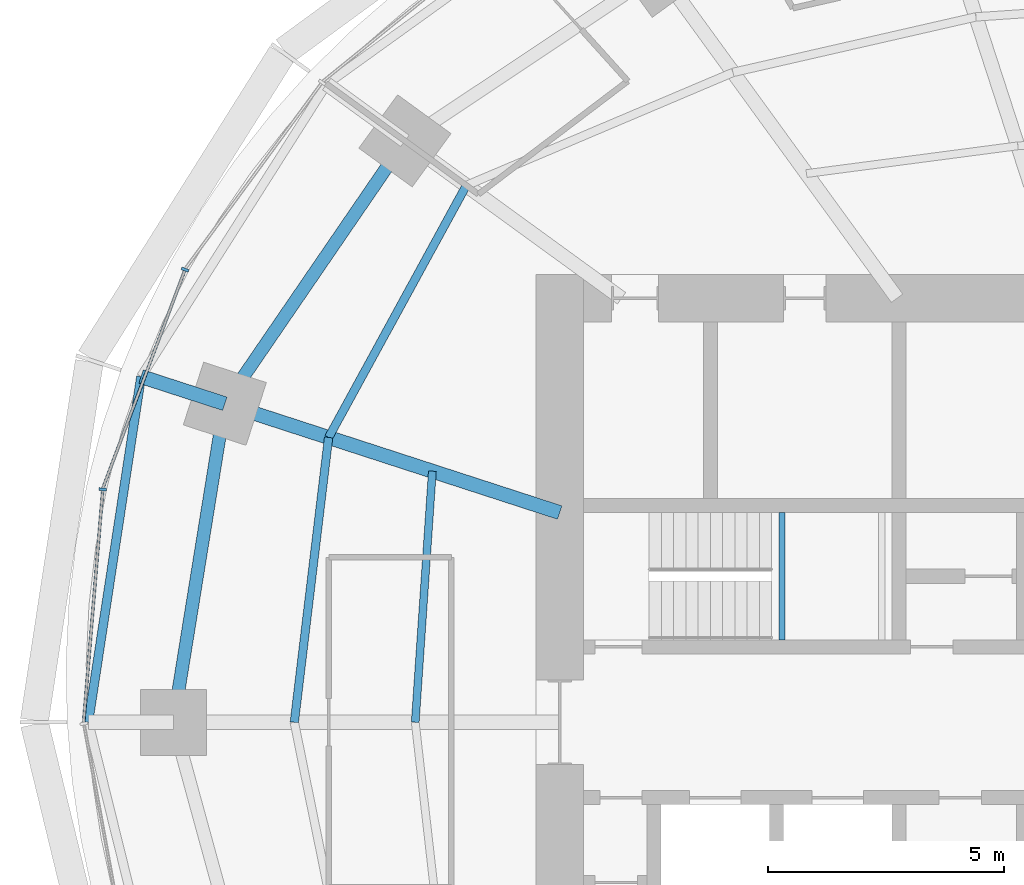
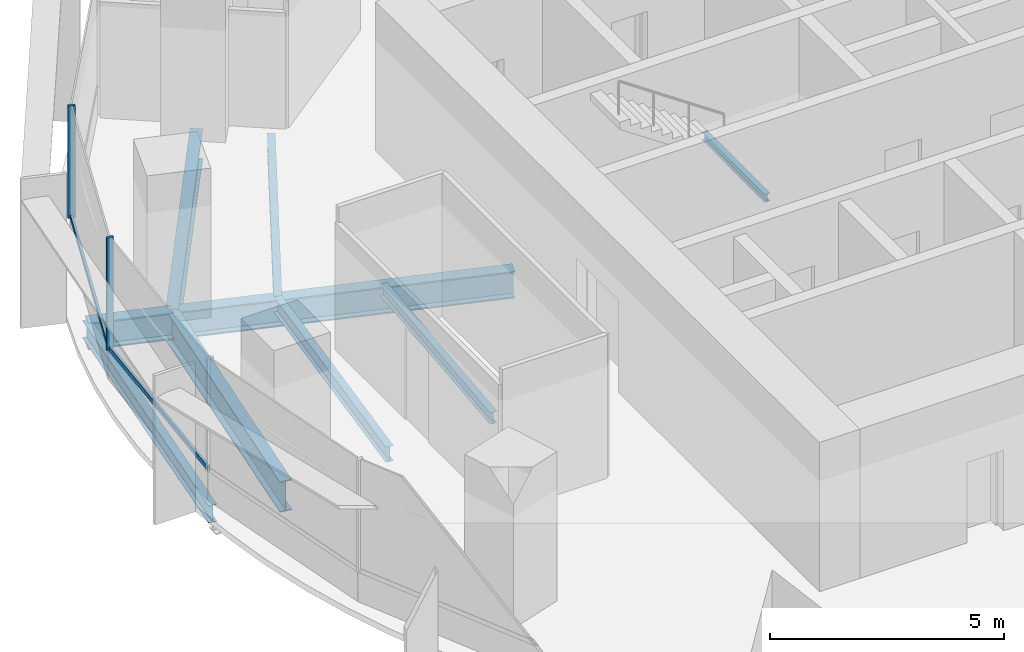
# One storey, part 4 of 15: 9 beams, 4 members, 1 element without a shape of its own.
"""IFC4 building model written with IfcOpenShell, lengths in metres."""

from ifc_helpers import new_model, si_unit, direction, frame, origin, origin_2d, place, context, subcontext, project, spatial, rectangle, i_section, extrude, material, material_profile, profile_set, type_object, element, aggregate, save


model = new_model("IFC4")

# Units and contexts
model_context = context("Model", 3, precision=1e-05, world=origin(), true_north=direction((0.0, 1.0)))
body_context = subcontext(model_context, "Body", "Model", "MODEL_VIEW")
ifc_project = project(units=[si_unit("LENGTHUNIT", "METRE"), si_unit("AREAUNIT", "SQUARE_METRE"), si_unit("VOLUMEUNIT", "CUBIC_METRE"), si_unit("PLANEANGLEUNIT", "RADIAN"), si_unit("MASSUNIT", "GRAM", prefix="KILO")], contexts=[model_context])

# Site, building, storey
site_placement = place(None, origin())
site = spatial("IfcSite", under=ifc_project, at=site_placement, CompositionType="ELEMENT")
building_placement = place(site_placement, origin())
building = spatial("IfcBuilding", under=site, at=building_placement, Name="Marramba Exchange Tower", CompositionType="ELEMENT")
storey_placement = place(building_placement, frame((0.0, 0.0, 191.60009765625)))
storey = spatial("IfcBuildingStorey", under=building, at=storey_placement, Name="L46", CompositionType="ELEMENT", Elevation=191.60009765625)

# Beams
ifc_material_1 = material(Name="Steel AS/NZS 3679.2 grade 300", Category="steel")
ifc_material_profile_1 = material_profile(ifc_material_1, i_section(OverallWidth=0.300048828125, OverallDepth=0.699951171875, WebThickness=0.010009765625, FlangeThickness=0.031982421875, at=origin_2d()), Name="700WB173")
ifc_profile_set_1 = profile_set([ifc_material_profile_1], Name="Steel AS/NZS 3679.2 grade 300")
beam_type_1 = type_object("IfcBeamType", Name="Cantilever girder 700WB173", PredefinedType="BEAM", material=ifc_profile_set_1)
beam_1_placement = place(storey_placement, frame((-20.808349609375, 6.760986328125, -0.510009765625), z_axis=(-0.951047511993, 0.309044705395, 0.0), x_axis=(-0.309044705395, -0.951047511993, 0.0)))
element("IfcBeam", 1, at=beam_1_placement, inside=storey, type_object=beam_type_1, Name="Cantilever girder L46 TC10", PredefinedType="BEAM", context=body_context, shape_type="SweptSolid", body=[
    extrude(i_section(OverallWidth=0.300048828125, OverallDepth=0.699951171875, WebThickness=0.010009765625, FlangeThickness=0.031982421875, at=origin_2d()), origin(), (0.0, 0.0, 1.0), 1.868408203125),
])
ifc_material_2 = material(Name="Steel AS/NZS 3679.1 grade 300", Category="steel")
ifc_material_profile_2 = material_profile(ifc_material_2, i_section(OverallWidth=0.166015625, OverallDepth=0.306884765625, WebThickness=0.006591796875, FlangeThickness=0.01171875, FilletRadius=0.011474609375, at=origin_2d()), Name="310UB46.2")
ifc_profile_set_2 = profile_set([ifc_material_profile_2], Name="Steel AS/NZS 3679.1 grade 300")
beam_type_2 = type_object("IfcBeamType", Name="Floor joist 310UB46.2", PredefinedType="JOIST", material=ifc_profile_set_2)
beam_2_placement = place(storey_placement, frame((-16.40283203125, 5.32958984375, -0.3134765625), z_axis=(-0.068096259546, -0.99767875563, 0.0), x_axis=(0.99767875563, -0.068096259546, 0.0)))
element("IfcBeam", 2, at=beam_2_placement, inside=storey, type_object=beam_type_2, Name="Joist L46 bay 10 row 1", PredefinedType="JOIST", context=body_context, shape_type="SweptSolid", body=[
    extrude(i_section(OverallWidth=0.166015625, OverallDepth=0.306884765625, WebThickness=0.006591796875, FlangeThickness=0.01171875, FilletRadius=0.011474609375, at=origin_2d()), origin(), (0.0, 0.0, 1.0), 5.342041015625),
])
ifc_material_profile_3 = material_profile(ifc_material_2, i_section(OverallWidth=0.177978515625, OverallDepth=0.406005859375, WebThickness=0.0078125, FlangeThickness=0.0126953125, FilletRadius=0.011474609375, at=origin_2d()), Name="410UB59.7")
ifc_profile_set_3 = profile_set([ifc_material_profile_3], Name="Steel AS/NZS 3679.1 grade 300")
beam_type_3 = type_object("IfcBeamType", Name="Floor joist 410UB59.7", PredefinedType="JOIST", material=ifc_profile_set_3)
beam_3_placement = place(storey_placement, frame((-15.682373046875, 11.393798828125, -0.363037109375), z_axis=(-0.479584443791, -0.877495732909, 0.0), x_axis=(0.877495732909, -0.479584443791, 0.0)))
element("IfcBeam", 3, at=beam_3_placement, inside=storey, type_object=beam_type_3, Name="Joist L46 bay 09 row 2", PredefinedType="JOIST", context=body_context, shape_type="SweptSolid", body=[
    extrude(i_section(OverallWidth=0.177978515625, OverallDepth=0.406005859375, WebThickness=0.0078125, FlangeThickness=0.0126953125, FilletRadius=0.011474609375, at=origin_2d()), origin(), (0.0, 0.0, 1.0), 6.094970703125),
])
beam_4_placement = place(storey_placement, frame((-18.60546875, 6.04541015625, -0.363037109375), z_axis=(-0.119523078538, -0.992831422597, 0.0), x_axis=(0.992831422597, -0.119523078538, 0.0)))
element("IfcBeam", 4, at=beam_4_placement, inside=storey, type_object=beam_type_3, Name="Joist L46 bay 10 row 2", PredefinedType="JOIST", context=body_context, shape_type="SweptSolid", body=[
    extrude(i_section(OverallWidth=0.177978515625, OverallDepth=0.406005859375, WebThickness=0.0078125, FlangeThickness=0.0126953125, FilletRadius=0.011474609375, at=origin_2d()), origin(), (0.0, 0.0, 1.0), 6.089111328125),
])

# Curtain wall, members
ifc_material_3 = material(Name="Aluminium framing, bronze anodised", Category="aluminium")
curtain_wall_type = type_object("IfcCurtainWallType", Name="Office ribbon curtain wall", PredefinedType="USERDEFINED", material=ifc_material_3)
curtain_wall_placement = place(storey_placement, origin())
curtain_wall = element("IfcCurtainWall", 5, at=curtain_wall_placement, inside=storey, type_object=curtain_wall_type, Name="Curtain wall CW4 L46 F11-F15", ObjectType="RIBBON CURTAIN WALL", PredefinedType="USERDEFINED")
ifc_material_4 = material(Name="Aluminium mullion, bronze anodised", Category="aluminium")
ifc_material_profile_4 = material_profile(ifc_material_4, rectangle(XDim=0.159912109375, YDim=0.06005859375, at=origin_2d()), Name="CW4 mullion 60x160")
ifc_profile_set_4 = profile_set([ifc_material_profile_4], Name="Aluminium mullion, bronze anodised")
member_type_1 = type_object("IfcMemberType", Name="Office ribbon curtain wall mullion", PredefinedType="MULLION", material=ifc_profile_set_4)
member_1_placement = place(storey_placement, frame((-21.65283203125, 9.607666015625, 0.7998046875), z_axis=(0.0, 0.0, 1.0), x_axis=(0.936018231909, -0.351951515885, 0.0)))
member_1 = element("IfcMember", 6, at=member_1_placement, type_object=member_type_1, Name="CW4 mullion 1", PredefinedType="MULLION", context=body_context, shape_type="SweptSolid", body=[
    extrude(rectangle(XDim=0.159912109375, YDim=0.06005859375, at=origin_2d()), origin(), (0.0, 0.0, 1.0), 2.940185546875),
])
member_2_placement = place(storey_placement, frame((-23.39794921875, 4.94287109375, 0.7998046875), z_axis=(0.0, 0.0, 1.0), x_axis=(0.996609178714, -0.082280890264, 0.0)))
member_2 = element("IfcMember", 7, at=member_2_placement, type_object=member_type_1, Name="CW4 mullion 1", PredefinedType="MULLION", context=body_context, shape_type="SweptSolid", body=[
    extrude(rectangle(XDim=0.159912109375, YDim=0.06005859375, at=origin_2d()), origin(), (0.0, 0.0, 1.0), 2.940185546875),
])
ifc_material_5 = material(Name="Aluminium transom, bronze anodised", Category="aluminium")
ifc_material_profile_5 = material_profile(ifc_material_5, rectangle(XDim=0.06005859375, YDim=0.1201171875, at=origin_2d()), Name="CW4 transom 60x120")
ifc_profile_set_5 = profile_set([ifc_material_profile_5], Name="Aluminium transom, bronze anodised")
member_type_2 = type_object("IfcMemberType", Name="Office ribbon curtain wall transom", PredefinedType="USERDEFINED", material=ifc_profile_set_5)
member_3_placement = place(storey_placement, frame((-21.663330078125, 9.57958984375, 0.829833984375), z_axis=(-0.351955054115, -0.936016901494, 0.0), x_axis=(0.936016901494, -0.351955054115, 0.0)))
member_3 = element("IfcMember", 8, at=member_3_placement, type_object=member_type_2, Name="CW4 sill transom", ObjectType="TRANSOM", PredefinedType="USERDEFINED", context=body_context, shape_type="SweptSolid", body=[
    extrude(rectangle(XDim=0.06005859375, YDim=0.1201171875, at=origin_2d()), origin(), (0.0, 0.0, 1.0), 4.921630859375),
])
member_4_placement = place(storey_placement, frame((-23.400390625, 4.9130859375, 0.829833984375), z_axis=(-0.082258542539, -0.996611023509, 0.0), x_axis=(0.996611023509, -0.082258542539, 0.0)))
member_4 = element("IfcMember", 9, at=member_4_placement, type_object=member_type_2, Name="CW4 sill transom", ObjectType="TRANSOM", PredefinedType="USERDEFINED", context=body_context, shape_type="SweptSolid", body=[
    extrude(rectangle(XDim=0.06005859375, YDim=0.1201171875, at=origin_2d()), origin(), (0.0, 0.0, 1.0), 4.9296875),
])
aggregate(curtain_wall, [member_1, member_3, member_2, member_4])

# Beams
ifc_material_profile_6 = material_profile(ifc_material_1, i_section(OverallWidth=0.300048828125, OverallDepth=0.699951171875, WebThickness=0.010009765625, FlangeThickness=0.031982421875, at=origin_2d()), Name="700WB173")
ifc_profile_set_6 = profile_set([ifc_material_profile_6], Name="Steel AS/NZS 3679.2 grade 300")
beam_type_4 = type_object("IfcBeamType", Name="Radial girder 700WB173", PredefinedType="BEAM", material=ifc_profile_set_6)
beam_5_placement = place(storey_placement, frame((-13.699951171875, 4.451416015625, -0.510009765625), z_axis=(-0.951059990189, 0.309006302624, 0.0), x_axis=(-0.309006302624, -0.951059990189, 0.0)))
element("IfcBeam", 10, at=beam_5_placement, inside=storey, type_object=beam_type_4, Name="Radial girder L46 TC10", PredefinedType="BEAM", context=body_context, shape_type="SweptSolid", body=[
    extrude(i_section(OverallWidth=0.300048828125, OverallDepth=0.699951171875, WebThickness=0.010009765625, FlangeThickness=0.031982421875, at=origin_2d()), origin(), (0.0, 0.0, 1.0), 7.47412109375),
])
ifc_material_profile_7 = material_profile(ifc_material_1, i_section(OverallWidth=0.27490234375, OverallDepth=0.800048828125, WebThickness=0.010009765625, FlangeThickness=0.02490234375, at=origin_2d()), Name="800WB168")
ifc_profile_set_7 = profile_set([ifc_material_profile_7], Name="Steel AS/NZS 3679.2 grade 300")
beam_type_5 = type_object("IfcBeamType", Name="Ring beam 800WB168", PredefinedType="SPANDREL", material=ifc_profile_set_7)
beam_6_placement = place(storey_placement, frame((-16.98583984375, 12.3408203125, -0.56005859375), z_axis=(-0.56516002054, -0.824981303535, 0.0), x_axis=(0.824981303535, -0.56516002054, 0.0)))
element("IfcBeam", 11, at=beam_6_placement, inside=storey, type_object=beam_type_5, Name="Ring beam L46 TC09-TC10", PredefinedType="SPANDREL", context=body_context, shape_type="SweptSolid", body=[
    extrude(i_section(OverallWidth=0.27490234375, OverallDepth=0.800048828125, WebThickness=0.010009765625, FlangeThickness=0.02490234375, at=origin_2d()), origin(), (0.0, 0.0, 1.0), 6.763671875),
])
beam_7_placement = place(storey_placement, frame((-20.808349609375, 6.760986328125, -0.56005859375), z_axis=(-0.159384865399, -0.987216523708, 0.0), x_axis=(0.987216523708, -0.159384865399, 0.0)))
element("IfcBeam", 12, at=beam_7_placement, inside=storey, type_object=beam_type_5, Name="Ring beam L46 TC10-TC11", PredefinedType="SPANDREL", context=body_context, shape_type="SweptSolid", body=[
    extrude(i_section(OverallWidth=0.27490234375, OverallDepth=0.800048828125, WebThickness=0.010009765625, FlangeThickness=0.02490234375, at=origin_2d()), origin(), (0.0, 0.0, 1.0), 6.8486328125),
])
ifc_material_profile_8 = material_profile(ifc_material_2, i_section(OverallWidth=0.19091796875, OverallDepth=0.4599609375, WebThickness=0.010009765625, FlangeThickness=0.01611328125, FilletRadius=0.011474609375, at=origin_2d()), Name="460UB82.1")
ifc_profile_set_8 = profile_set([ifc_material_profile_8], Name="Steel AS/NZS 3679.1 grade 300")
beam_type_6 = type_object("IfcBeamType", Name="Slab edge beam 460UB82.1", PredefinedType="SPANDREL", material=ifc_profile_set_8)
beam_8_placement = place(storey_placement, frame((-22.585205078125, 7.33837890625, -0.39013671875), z_axis=(-0.150987012186, -0.988535746522, 0.0), x_axis=(0.988535746522, -0.150987012186, 0.0)))
element("IfcBeam", 13, at=beam_8_placement, inside=storey, type_object=beam_type_6, Name="Slab edge beam L46 TC10-TC11", PredefinedType="SPANDREL", context=body_context, shape_type="SweptSolid", body=[
    extrude(i_section(OverallWidth=0.19091796875, OverallDepth=0.4599609375, WebThickness=0.010009765625, FlangeThickness=0.01611328125, FilletRadius=0.011474609375, at=origin_2d()), origin(), (0.0, 0.0, 1.0), 7.423583984375),
])
ifc_material_profile_9 = material_profile(ifc_material_2, i_section(OverallWidth=0.133056640625, OverallDepth=0.202880859375, WebThickness=0.005859375, FlangeThickness=0.0078125, FilletRadius=0.0087890625, at=origin_2d()), Name="200UB25.4")
ifc_profile_set_9 = profile_set([ifc_material_profile_9], Name="Steel AS/NZS 3679.1 grade 300")
beam_type_7 = type_object("IfcBeamType", Name="Stair landing beam 200UB25.4", PredefinedType="BEAM", material=ifc_profile_set_9)
beam_9_placement = place(storey_placement, frame((-8.9833984375, 1.75, 1.6484375), z_axis=(0.0, 1.0, 0.0), x_axis=(-1.0, 0.0, 0.0)))
element("IfcBeam", 14, at=beam_9_placement, inside=storey, type_object=beam_type_7, Name="Stair landing beam SLB1 ST1 L46 1", PredefinedType="BEAM", context=body_context, shape_type="SweptSolid", body=[
    extrude(i_section(OverallWidth=0.133056640625, OverallDepth=0.202880859375, WebThickness=0.005859375, FlangeThickness=0.0078125, FilletRadius=0.0087890625, at=origin_2d()), origin(), (0.0, 0.0, 1.0), 2.699951171875),
])

save(model, "model.ifc")
